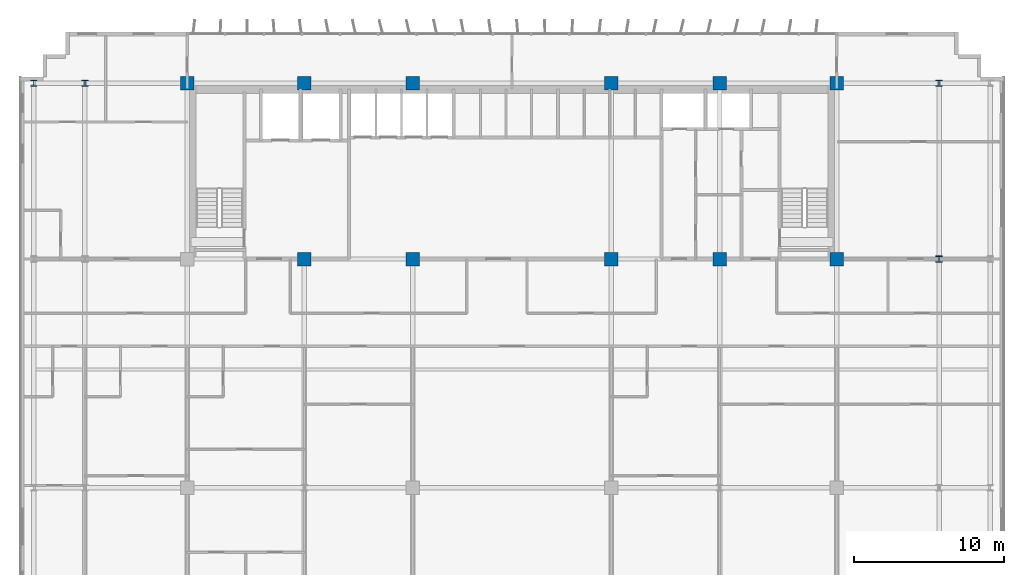
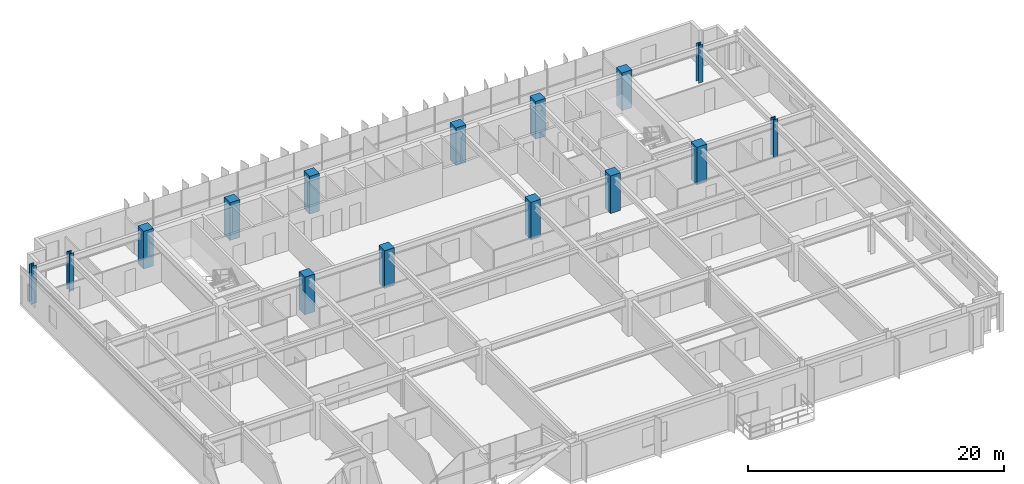
# One storey, part 2 of 25: 15 columns.
"""IFC4 building model written with IfcOpenShell, lengths in metres."""

from ifc_helpers import new_model, si_unit, direction, frame, origin, origin_2d, place, context, subcontext, project, spatial, rectangle, i_section, extrude, source, transform, mapped, material, material_profile, profile_set, type_object, element, save


model = new_model("IFC4")

# Units and contexts
model_context = context("Model", 3, precision=1e-05, world=origin(), true_north=direction((0.0, 1.0)))
body_context = subcontext(model_context, "Body", "Model", "MODEL_VIEW")
ifc_project = project(units=[si_unit("LENGTHUNIT", "METRE"), si_unit("AREAUNIT", "SQUARE_METRE"), si_unit("VOLUMEUNIT", "CUBIC_METRE"), si_unit("PLANEANGLEUNIT", "RADIAN"), si_unit("MASSUNIT", "GRAM", prefix="KILO")], contexts=[model_context])

# Site, building, storey
site_placement = place(None, origin())
site = spatial("IfcSite", under=ifc_project, at=site_placement, CompositionType="ELEMENT")
building_placement = place(site_placement, origin())
building = spatial("IfcBuilding", under=site, at=building_placement, Name="Trelvane Seafront Commons", CompositionType="ELEMENT")
storey_placement = place(building_placement, frame((0.0, 0.0, 66.699951171875)))
storey = spatial("IfcBuildingStorey", under=building, at=storey_placement, Name="L17", CompositionType="ELEMENT", Elevation=66.699951171875)

# Columns
ifc_material_1 = material(Name="Steel SM355 (S355)", Category="steel")
ifc_material_profile_1 = material_profile(ifc_material_1, i_section(OverallWidth=0.419921875, OverallDepth=0.419921875, WebThickness=0.02587890625, FlangeThickness=0.0400390625, at=origin_2d()), Name="HD-420x420x26x40")
ifc_profile_set_1 = profile_set([ifc_material_profile_1], Name="Steel SM355 (S355)")
column_type_1 = type_object("IfcColumnType", Name="STR-COL-HD420", PredefinedType="COLUMN", material=ifc_profile_set_1)
shared_shape_1 = source(origin(), body_context, "Body", "SweptSolid", [
    extrude(i_section(OverallWidth=0.419921875, OverallDepth=0.419921875, WebThickness=0.02587890625, FlangeThickness=0.0400390625, at=origin_2d()), origin(), (0.0, 0.0, 1.0), 3.60009765625),
])
for number, where, z_axis, x_axis, name in (
    (1, (5.39990234375, 45.10009765625, 0.0), (0.0, 0.0, 1.0), (1.0, 0.0, 0.0), "L17 Column TC-CN5.4"),
    (2, (8.800048828125, 45.10009765625, 0.0), (0.0, 0.0, 1.0), (1.0, 0.0, 0.0), "L17 Column TC-CN8.8"),
    (3, (65.60009765625, 33.39990234375, 0.0), (0.0, 0.0, 1.0), (1.0, 0.0, 0.0), "L17 Column TC-CS65.6"),
    (4, (65.60009765625, 45.10009765625, 0.0), (0.0, 0.0, 1.0), (1.0, 0.0, 0.0), "L17 Column TC-CN65.6"),
):
    element("IfcColumn", number, at=place(storey_placement, frame(where, z_axis=z_axis, x_axis=x_axis)), inside=storey, type_object=column_type_1, Name=name, PredefinedType="COLUMN", context=body_context, shape_type="MappedRepresentation", body=[
        mapped(shared_shape_1, transform((0.0, 0.0, 0.0), x_axis=(1.0, 0.0, 0.0), y_axis=(0.0, 1.0, 0.0), z_axis=(0.0, 0.0, 1.0), scale=1.0)),
    ])
ifc_material_2 = material(Name="Concrete C60/75", Category="concrete")
ifc_material_profile_2 = material_profile(ifc_material_2, rectangle(XDim=0.89990234375, YDim=0.89990234375, at=origin_2d()), Name="RC-900x900")
ifc_profile_set_2 = profile_set([ifc_material_profile_2], Name="Concrete C60/75")
column_type_2 = type_object("IfcColumnType", Name="STR-COL-RC900", PredefinedType="COLUMN", material=ifc_profile_set_2)
shared_shape_2 = source(origin(), body_context, "Body", "SweptSolid", [
    extrude(rectangle(XDim=0.89990234375, YDim=0.89990234375, at=origin_2d()), origin(), (0.0, 0.0, 1.0), 3.60009765625),
])
for number, where, z_axis, x_axis, name in (
    (5, (15.60009765625, 45.10009765625, 0.0), (0.0, 0.0, 1.0), (1.0, 0.0, 0.0), "L17 Column TC-CN15.6"),
    (6, (23.39990234375, 33.39990234375, 0.0), (0.0, 0.0, 1.0), (1.0, 0.0, 0.0), "L17 Column TC-CS23.4"),
    (7, (23.39990234375, 45.10009765625, 0.0), (0.0, 0.0, 1.0), (1.0, 0.0, 0.0), "L17 Column TC-CN23.4"),
    (8, (30.60009765625, 33.39990234375, 0.0), (0.0, 0.0, 1.0), (1.0, 0.0, 0.0), "L17 Column TC-CS30.6"),
    (9, (30.60009765625, 45.10009765625, 0.0), (0.0, 0.0, 1.0), (1.0, 0.0, 0.0), "L17 Column TC-CN30.6"),
    (10, (43.800048828125, 33.39990234375, 0.0), (0.0, 0.0, 1.0), (1.0, 0.0, 0.0), "L17 Column TC-CS43.8"),
    (11, (43.800048828125, 45.10009765625, 0.0), (0.0, 0.0, 1.0), (1.0, 0.0, 0.0), "L17 Column TC-CN43.8"),
    (12, (51.0, 33.39990234375, 0.0), (0.0, 0.0, 1.0), (1.0, 0.0, 0.0), "L17 Column TC-CS51.0"),
    (13, (51.0, 45.10009765625, 0.0), (0.0, 0.0, 1.0), (1.0, 0.0, 0.0), "L17 Column TC-CN51.0"),
    (14, (58.800048828125, 33.39990234375, 0.0), (0.0, 0.0, 1.0), (1.0, 0.0, 0.0), "L17 Column TC-CS58.8"),
    (15, (58.800048828125, 45.10009765625, 0.0), (0.0, 0.0, 1.0), (1.0, 0.0, 0.0), "L17 Column TC-CN58.8"),
):
    element("IfcColumn", number, at=place(storey_placement, frame(where, z_axis=z_axis, x_axis=x_axis)), inside=storey, type_object=column_type_2, Name=name, PredefinedType="COLUMN", context=body_context, shape_type="MappedRepresentation", body=[
        mapped(shared_shape_2, transform((0.0, 0.0, 0.0), x_axis=(1.0, 0.0, 0.0), y_axis=(0.0, 1.0, 0.0), z_axis=(0.0, 0.0, 1.0), scale=1.0)),
    ])

save(model, "model.ifc")
